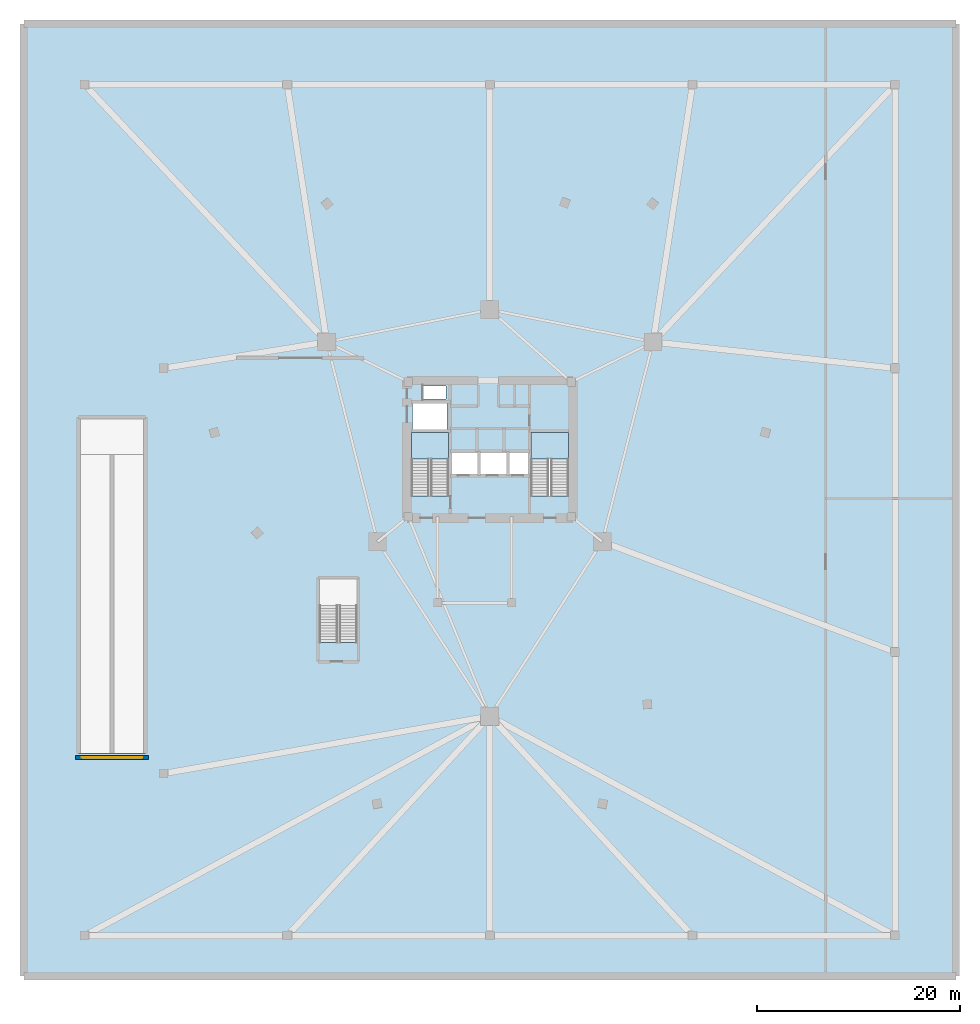
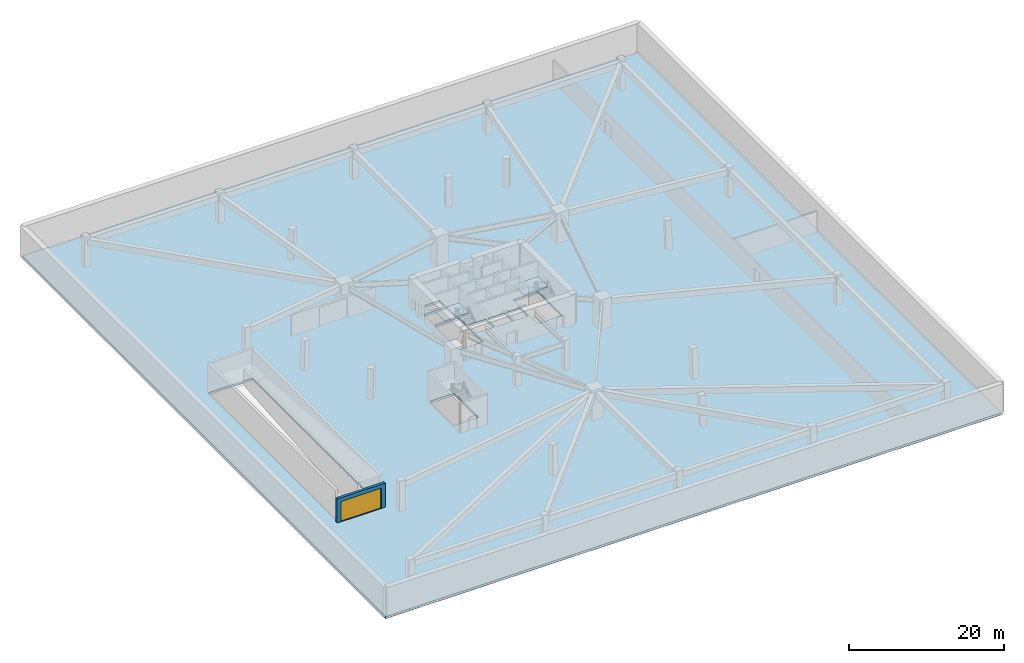
# One storey, part 2 of 7: 3 slabs, 1 door, 1 wall, 1 opening, 2 elements without a shape of their own.
"""IFC4 building model written with IfcOpenShell, lengths in metres."""

from ifc_helpers import new_model, si_unit, direction, frame, frame_2d, origin, place, context, subcontext, project, spatial, polyline, rectangle, outline, extrude, material, layer, layer_set, type_object, element, fill, aggregate, save


model = new_model("IFC4")

# Units and contexts
model_context = context("Model", 3, precision=1e-05, world=origin(), true_north=direction((0.0, 1.0)))
body_context = subcontext(model_context, "Body", "Model", "MODEL_VIEW")
ifc_project = project(units=[si_unit("LENGTHUNIT", "METRE"), si_unit("AREAUNIT", "SQUARE_METRE"), si_unit("VOLUMEUNIT", "CUBIC_METRE"), si_unit("PLANEANGLEUNIT", "RADIAN"), si_unit("MASSUNIT", "GRAM", prefix="KILO")], contexts=[model_context])

# Site, building, storey
site_placement = place(None, origin())
site = spatial("IfcSite", under=ifc_project, at=site_placement, CompositionType="ELEMENT")
building_placement = place(site_placement, origin())
building = spatial("IfcBuilding", under=site, at=building_placement, Name="Talyreon Biosciences Tower", CompositionType="ELEMENT")
storey_placement = place(building_placement, frame((0.0, 0.0, -4.800048828125)))
storey = spatial("IfcBuildingStorey", under=building, at=storey_placement, Name="B1", CompositionType="ELEMENT", Elevation=-4.800048828125)

# Slab
ifc_material_1 = material(Name="Concrete C50/60", Category="concrete")
ifc_layer_1 = layer(ifc_material_1, 0.35009765625)
ifc_layer_set_1 = layer_set([ifc_layer_1], Name="Concrete C50/60")
slab_type_1 = type_object("IfcSlabType", Name="PlantOutriggerSlab_350", PredefinedType="FLOOR", material=ifc_layer_set_1)
slab_1_placement = place(storey_placement, frame((0.0, 0.0, -0.349853515625)))
element("IfcSlab", 1, at=slab_1_placement, inside=storey, type_object=slab_type_1, Name="B1 Structural Floor Slab", PredefinedType="FLOOR", context=body_context, shape_type="SweptSolid", body=[
    extrude(outline(polyline([(20.0, 16.0), (112.0, 16.0), (112.0, 110.0), (20.0, 110.0), (20.0, 16.0)]), holes=[polyline([(52.8798828125, 55.199951171875), (52.8798828125, 48.9580078125), (49.199951171875, 48.9580078125), (49.199951171875, 55.199951171875), (52.8798828125, 55.199951171875)]), polyline([(32.0, 71.199951171875), (32.0, 38.0), (25.39990234375, 38.0), (25.39990234375, 71.199951171875), (32.0, 71.199951171875)]), polyline([(61.929931640625, 69.64990234375), (61.929931640625, 63.407958984375), (58.25, 63.407958984375), (58.25, 69.64990234375), (61.929931640625, 69.64990234375)]), polyline([(73.75, 69.64990234375), (73.75, 63.407958984375), (70.070068359375, 63.407958984375), (70.070068359375, 69.64990234375), (73.75, 69.64990234375)]), polyline([(64.800048828125, 67.64990234375), (64.800048828125, 65.550048828125), (62.199951171875, 65.550048828125), (62.199951171875, 67.64990234375), (64.800048828125, 67.64990234375)]), polyline([(67.64990234375, 67.64990234375), (67.64990234375, 65.550048828125), (65.050048828125, 65.550048828125), (65.050048828125, 67.64990234375), (67.64990234375, 67.64990234375)]), polyline([(69.89990234375, 67.64990234375), (69.89990234375, 65.550048828125), (67.89990234375, 65.550048828125), (67.89990234375, 67.64990234375), (69.89990234375, 67.64990234375)]), polyline([(61.75, 69.97998046875), (58.35009765625, 69.97998046875), (58.35009765625, 72.550048828125), (61.75, 72.550048828125), (61.75, 69.97998046875)]), polyline([(61.64990234375, 72.9599609375), (59.39990234375, 72.9599609375), (59.39990234375, 74.25), (61.64990234375, 74.25), (61.64990234375, 72.9599609375)])]), origin(), (0.0, 0.0, 1.0), 0.349853515625),
])

# Stair, slab
ifc_material_2 = material(Name="Concrete C40/50", Category="concrete")
stair_type = type_object("IfcStairType", Name="DoglegEscapeStair_4800", PredefinedType="HALF_TURN_STAIR", material=ifc_material_2)
stair_1_placement = place(storey_placement, origin())
stair_1 = element("IfcStair", 2, at=stair_1_placement, inside=storey, type_object=stair_type, Name="B1 Core Escape Stair 1", PredefinedType="HALF_TURN_STAIR")
ifc_layer_2 = layer(ifc_material_2, 0.199951171875)
ifc_layer_set_2 = layer_set([ifc_layer_2], Name="Concrete C40/50")
slab_type_2 = type_object("IfcSlabType", Name="StairLandingSlab_200", PredefinedType="LANDING", material=ifc_layer_set_2)
slab_2_placement = place(storey_placement, frame((0.0, 0.0, 2.199951171875)))
slab_2 = element("IfcSlab", 3, at=slab_2_placement, type_object=slab_type_2, Name="ST-1 landing 1", PredefinedType="LANDING", context=body_context, shape_type="SweptSolid", body=[
    extrude(outline(polyline([(61.929931640625, 67.0400390625), (61.929931640625, 69.64990234375), (58.25, 69.64990234375), (58.25, 67.0400390625), (61.929931640625, 67.0400390625)])), origin(), (0.0, 0.0, 1.0), 0.2001953125),
])
aggregate(stair_1, [slab_2])

stair_2_placement = place(storey_placement, origin())
stair_2 = element("IfcStair", 4, at=stair_2_placement, inside=storey, type_object=stair_type, Name="B1 Core Escape Stair 2", PredefinedType="HALF_TURN_STAIR")
slab_3_placement = place(storey_placement, frame((0.0, 0.0, 2.199951171875)))
slab_3 = element("IfcSlab", 5, at=slab_3_placement, type_object=slab_type_2, Name="ST-2 landing 1", PredefinedType="LANDING", context=body_context, shape_type="SweptSolid", body=[
    extrude(outline(polyline([(73.75, 67.0400390625), (73.75, 69.64990234375), (70.070068359375, 69.64990234375), (70.070068359375, 67.0400390625), (73.75, 67.0400390625)])), origin(), (0.0, 0.0, 1.0), 0.2001953125),
])
aggregate(stair_2, [slab_3])

# Wall, opening, door
ifc_material_3 = material(Name="Precast concrete C45/55", Category="concrete")
ifc_layer_3 = layer(ifc_material_3, 0.3798828125)
ifc_layer_set_3 = layer_set([ifc_layer_3], Name="Precast concrete C45/55")
wall_type = type_object("IfcWallType", Name="PrecastConcretePodiumWall_380", PredefinedType="STANDARD", material=ifc_layer_set_3)
wall_placement = place(storey_placement, frame((32.300048828125, 37.60009765625, 0.0), z_axis=(0.0, 0.0, 1.0), x_axis=(-1.0, 0.0, 0.0)))
wall = element("IfcWall", 6, at=wall_placement, inside=storey, type_object=wall_type, Name="B1 Vehicle Ramp Portal Wall VG-B1-01", PredefinedType="STANDARD", context=body_context, shape_type="SweptSolid", body=[
    extrude(rectangle(XDim=7.199951171875, YDim=0.3798828125, at=frame_2d((3.60009765625, 0.0))), origin(), (0.0, 0.0, 1.0), 3.800048828125),
])
opening_placement = place(wall_placement, frame((0.60009765625, 0.0, 0.0)))
opening = element("IfcOpeningElement", 7, at=opening_placement, cuts=wall, Name="Opening VG-B1-01", PredefinedType="OPENING", context=body_context, shape_type="SweptSolid", body=[
    extrude(rectangle(XDim=6.0, YDim=3.199951171875, at=frame_2d((3.0, 1.60009765625))), frame((0.0, 0.199951171875, 0.0), z_axis=(0.0, -1.0, 0.0), x_axis=(1.0, 0.0, 0.0)), (0.0, 0.0, 1.0), 0.39990234375),
])
ifc_material_4 = material(Name="Motorised insulated steel roller shutter gate", Category="steel")
door_type = type_object("IfcDoorType", Name="VehicleRollerShutterGate_6000x3200", OperationType="ROLLINGUP", PredefinedType="GATE", material=ifc_material_4)
door_placement = place(opening_placement, origin())
door = element("IfcDoor", 8, at=door_placement, inside=storey, type_object=door_type, Name="B1 Roller Shutter Gate VG-B1-01", OperationType="ROLLINGUP", OverallHeight=3.199951171875, OverallWidth=6.0, PredefinedType="GATE", context=body_context, shape_type="SweptSolid", body=[
    extrude(rectangle(XDim=6.0, YDim=3.199951171875, at=frame_2d((3.0, 1.60009765625))), frame((0.0, 0.02490234375, 0.0), z_axis=(0.0, -1.0, 0.0), x_axis=(1.0, 0.0, 0.0)), (0.0, 0.0, 1.0), 0.050048828125),
])
fill(opening, door)

save(model, "model.ifc")
